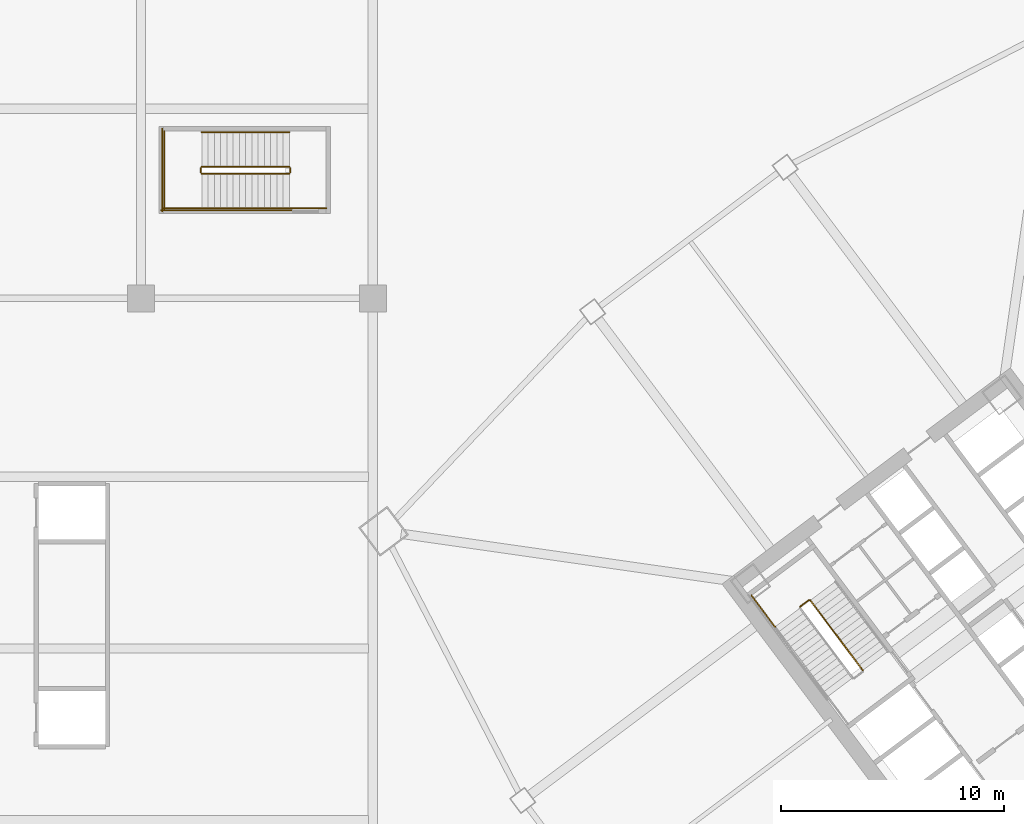
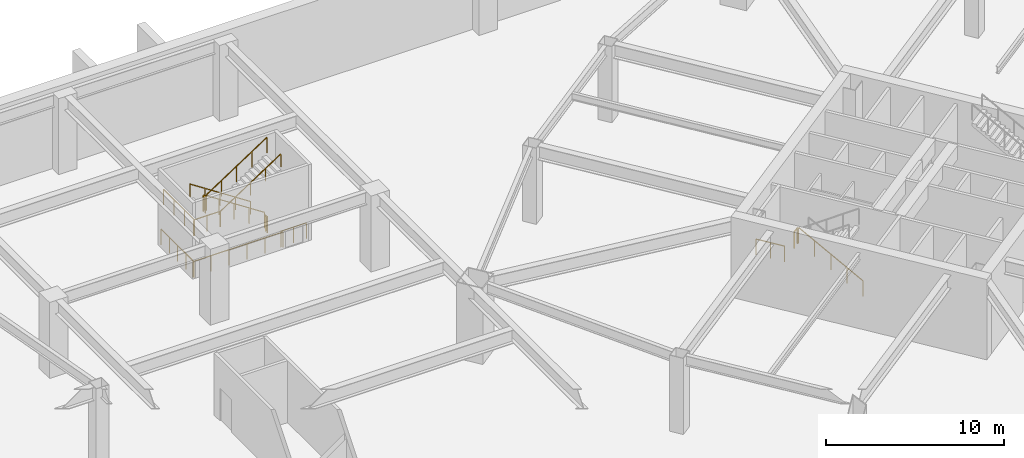
# One storey, part 16 of 17: 14 railings.
"""IFC4 building model written with IfcOpenShell, lengths in metres."""

from ifc_helpers import new_model, si_unit, direction, frame, origin, origin_2d, place, context, subcontext, project, spatial, rectangle, extrude, material, type_object, element, save


model = new_model("IFC4")

# Units and contexts
model_context = context("Model", 3, precision=1e-05, world=origin(), true_north=direction((0.0, 1.0)))
body_context = subcontext(model_context, "Body", "Model", "MODEL_VIEW")
ifc_project = project(units=[si_unit("LENGTHUNIT", "METRE"), si_unit("AREAUNIT", "SQUARE_METRE"), si_unit("VOLUMEUNIT", "CUBIC_METRE"), si_unit("PLANEANGLEUNIT", "RADIAN"), si_unit("MASSUNIT", "GRAM", prefix="KILO")], contexts=[model_context])

# Site, building, storey
site_placement = place(None, origin())
site = spatial("IfcSite", under=ifc_project, at=site_placement, CompositionType="ELEMENT")
building_placement = place(site_placement, origin())
building = spatial("IfcBuilding", under=site, at=building_placement, Name="Tashvorn Skyway Center", CompositionType="ELEMENT")
storey_placement = place(building_placement, frame((0.0, 0.0, -5.5)))
storey = spatial("IfcBuildingStorey", under=building, at=storey_placement, Name="B1", CompositionType="ELEMENT", Elevation=-5.5)

# Railings
ifc_material_1 = material(Name="Brushed stainless steel 316", Category="steel")
railing_type_1 = type_object("IfcRailingType", Name="RAIL-HAND-920", PredefinedType="HANDRAIL", material=ifc_material_1)
railing_1_placement = place(storey_placement, frame((83.449951171875, 53.64990234375, 0.183349609375)))
element("IfcRailing", 1, at=railing_1_placement, inside=storey, type_object=railing_type_1, Name="B1 ST-POD-2 stair handrail 1", PredefinedType="HANDRAIL", context=body_context, shape_type="SweptSolid", body=[
    extrude(rectangle(XDim=0.048095703125, YDim=0.048095703125, at=origin_2d()), frame((0.0, 0.0, 0.8759765625), z_axis=(-0.836615117243, 0.0, 0.547791151444), x_axis=(0.0, -1.0, 0.0)), (0.0, 0.0, 1.0), 4.685546875),
    extrude(rectangle(XDim=0.0419921875, YDim=0.0419921875, at=origin_2d()), origin(), (0.0, 0.0, 1.0), 0.851806640625),
    extrude(rectangle(XDim=0.0419921875, YDim=0.0419921875, at=origin_2d()), frame((-0.97998046875, 0.0, 0.6416015625)), (0.0, 0.0, 1.0), 0.851806640625),
    extrude(rectangle(XDim=0.0419921875, YDim=0.0419921875, at=origin_2d()), frame((-1.9599609375, 0.0, 1.283203125)), (0.0, 0.0, 1.0), 0.851806640625),
    extrude(rectangle(XDim=0.0419921875, YDim=0.0419921875, at=origin_2d()), frame((-2.93994140625, 0.0, 1.925048828125)), (0.0, 0.0, 1.0), 0.851806640625),
    extrude(rectangle(XDim=0.0419921875, YDim=0.0419921875, at=origin_2d()), frame((-3.919921875, 0.0, 2.566650390625)), (0.0, 0.0, 1.0), 0.851806640625),
])
railing_2_placement = place(storey_placement, frame((79.530029296875, 50.25, 2.933349609375)))
element("IfcRailing", 2, at=railing_2_placement, inside=storey, type_object=railing_type_1, Name="B1 ST-POD-2 stair handrail 2", PredefinedType="HANDRAIL", context=body_context, shape_type="SweptSolid", body=[
    extrude(rectangle(XDim=0.048095703125, YDim=0.048095703125, at=origin_2d()), frame((0.0, 0.0, 0.8759765625), z_axis=(0.836615117243, 0.0, 0.547791151444), x_axis=(0.0, 1.0, 0.0)), (0.0, 0.0, 1.0), 4.685546875),
    extrude(rectangle(XDim=0.0419921875, YDim=0.0419921875, at=origin_2d()), origin(), (0.0, 0.0, 1.0), 0.851806640625),
    extrude(rectangle(XDim=0.0419921875, YDim=0.0419921875, at=origin_2d()), frame((0.97998046875, 0.0, 0.6416015625)), (0.0, 0.0, 1.0), 0.851806640625),
    extrude(rectangle(XDim=0.0419921875, YDim=0.0419921875, at=origin_2d()), frame((1.9599609375, 0.0, 1.283203125)), (0.0, 0.0, 1.0), 0.851806640625),
    extrude(rectangle(XDim=0.0419921875, YDim=0.0419921875, at=origin_2d()), frame((2.93994140625, 0.0, 1.925048828125)), (0.0, 0.0, 1.0), 0.851806640625),
    extrude(rectangle(XDim=0.0419921875, YDim=0.0419921875, at=origin_2d()), frame((3.919921875, 0.0, 2.566650390625)), (0.0, 0.0, 1.0), 0.851806640625),
])
ifc_material_2 = material(Name="Painted galvanized steel S355", Category="steel")
railing_type_2 = type_object("IfcRailingType", Name="RAIL-STGUARD-1100", PredefinedType="GUARDRAIL", material=ifc_material_2)
railing_3_placement = place(storey_placement, frame((109.16796875, 29.52587890625, 0.183349609375)))
element("IfcRailing", 3, at=railing_3_placement, inside=storey, type_object=railing_type_2, Name="B1 ST-T2-1 stair guard 1", PredefinedType="GUARDRAIL", context=body_context, shape_type="SweptSolid", body=[
    extrude(rectangle(XDim=0.048095703125, YDim=0.048095703125, at=origin_2d()), frame((0.0, 0.0, 1.076171875), z_axis=(-0.501963654013, 0.669319607583, 0.547762496849), x_axis=(-0.800014946318, -0.599980071059, 0.0)), (0.0, 0.0, 1.0), 4.685791015625),
    extrude(rectangle(XDim=0.0419921875, YDim=0.0419921875, at=origin_2d()), origin(), (0.0, 0.0, 1.0), 1.052001953125),
    extrude(rectangle(XDim=0.0419921875, YDim=0.0419921875, at=origin_2d()), frame((-0.587890625, 0.7841796875, 0.6416015625)), (0.0, 0.0, 1.0), 1.052001953125),
    extrude(rectangle(XDim=0.0419921875, YDim=0.0419921875, at=origin_2d()), frame((-1.176025390625, 1.568115234375, 1.283203125)), (0.0, 0.0, 1.0), 1.052001953125),
    extrude(rectangle(XDim=0.0419921875, YDim=0.0419921875, at=origin_2d()), frame((-1.76416015625, 2.35205078125, 1.925048828125)), (0.0, 0.0, 1.0), 1.052001953125),
    extrude(rectangle(XDim=0.0419921875, YDim=0.0419921875, at=origin_2d()), frame((-2.35205078125, 3.13623046875, 2.566650390625)), (0.0, 0.0, 1.0), 1.052001953125),
])
railing_4_placement = place(storey_placement, frame((106.74609375, 32.672119140625, 2.75)))
element("IfcRailing", 4, at=railing_4_placement, inside=storey, type_object=railing_type_2, Name="B1 ST-T2-1 stair guard 2", PredefinedType="GUARDRAIL", context=body_context, shape_type="SweptSolid", body=[
    extrude(rectangle(XDim=0.048095703125, YDim=0.048095703125, at=origin_2d()), frame((0.0, 0.0, 1.076171875), z_axis=(-0.799938970639, -0.600081363861, 0.0), x_axis=(0.600081363861, -0.799938970639, 0.0)), (0.0, 0.0, 1.0), 0.47998046875),
    extrude(rectangle(XDim=0.0419921875, YDim=0.0419921875, at=origin_2d()), origin(), (0.0, 0.0, 1.0), 1.052001953125),
    extrude(rectangle(XDim=0.0419921875, YDim=0.0419921875, at=origin_2d()), frame((-0.384033203125, -0.2880859375, 0.0)), (0.0, 0.0, 1.0), 1.052001953125),
])
railing_5_placement = place(storey_placement, frame((105.23193359375, 31.47412109375, 2.75)))
element("IfcRailing", 5, at=railing_5_placement, inside=storey, type_object=railing_type_2, Name="B1 ST-T2-1 stair guard 3", PredefinedType="GUARDRAIL", context=body_context, shape_type="SweptSolid", body=[
    extrude(rectangle(XDim=0.048095703125, YDim=0.048095703125, at=origin_2d()), frame((0.0, 0.0, 1.076171875), z_axis=(-0.599977804058, 0.800016646475, 0.0), x_axis=(-0.800016646475, -0.599977804058, 0.0)), (0.0, 0.0, 1.0), 1.760009765625),
    extrude(rectangle(XDim=0.0419921875, YDim=0.0419921875, at=origin_2d()), origin(), (0.0, 0.0, 1.0), 1.052001953125),
    extrude(rectangle(XDim=0.0419921875, YDim=0.0419921875, at=origin_2d()), frame((-0.52783203125, 0.7041015625, 0.0)), (0.0, 0.0, 1.0), 1.052001953125),
    extrude(rectangle(XDim=0.0419921875, YDim=0.0419921875, at=origin_2d()), frame((-1.055908203125, 1.407958984375, 0.0)), (0.0, 0.0, 1.0), 1.052001953125),
])
railing_6_placement = place(storey_placement, frame((83.449951171875, 52.10009765625, 0.183349609375)))
element("IfcRailing", 6, at=railing_6_placement, inside=storey, type_object=railing_type_2, Name="B1 ST-POD-2 stair guard 1", PredefinedType="GUARDRAIL", context=body_context, shape_type="SweptSolid", body=[
    extrude(rectangle(XDim=0.048095703125, YDim=0.048095703125, at=origin_2d()), frame((0.0, 0.0, 1.076171875), z_axis=(-0.836615117243, 0.0, 0.547791151444), x_axis=(0.0, -1.0, 0.0)), (0.0, 0.0, 1.0), 4.685546875),
    extrude(rectangle(XDim=0.0419921875, YDim=0.0419921875, at=origin_2d()), origin(), (0.0, 0.0, 1.0), 1.052001953125),
    extrude(rectangle(XDim=0.0419921875, YDim=0.0419921875, at=origin_2d()), frame((-0.97998046875, 0.0, 0.6416015625)), (0.0, 0.0, 1.0), 1.052001953125),
    extrude(rectangle(XDim=0.0419921875, YDim=0.0419921875, at=origin_2d()), frame((-1.9599609375, 0.0, 1.283203125)), (0.0, 0.0, 1.0), 1.052001953125),
    extrude(rectangle(XDim=0.0419921875, YDim=0.0419921875, at=origin_2d()), frame((-2.93994140625, 0.0, 1.925048828125)), (0.0, 0.0, 1.0), 1.052001953125),
    extrude(rectangle(XDim=0.0419921875, YDim=0.0419921875, at=origin_2d()), frame((-3.919921875, 0.0, 2.566650390625)), (0.0, 0.0, 1.0), 1.052001953125),
])
railing_7_placement = place(storey_placement, frame((79.47998046875, 52.050048828125, 2.75)))
element("IfcRailing", 7, at=railing_7_placement, inside=storey, type_object=railing_type_2, Name="B1 ST-POD-2 stair guard 2", PredefinedType="GUARDRAIL", context=body_context, shape_type="SweptSolid", body=[
    extrude(rectangle(XDim=0.048095703125, YDim=0.048095703125, at=origin_2d()), frame((0.0, 0.0, 1.076171875), z_axis=(0.0, -1.0, 0.0), x_axis=(1.0, 0.0, 0.0)), (0.0, 0.0, 1.0), 0.199951171875),
    extrude(rectangle(XDim=0.0419921875, YDim=0.0419921875, at=origin_2d()), origin(), (0.0, 0.0, 1.0), 1.052001953125),
    extrude(rectangle(XDim=0.0419921875, YDim=0.0419921875, at=origin_2d()), frame((0.0, -0.199951171875, 0.0)), (0.0, 0.0, 1.0), 1.052001953125),
])
railing_8_placement = place(storey_placement, frame((79.530029296875, 50.25, 2.75)))
element("IfcRailing", 8, at=railing_8_placement, inside=storey, type_object=railing_type_2, Name="B1 ST-POD-2 stair guard 3", PredefinedType="GUARDRAIL", context=body_context, shape_type="SweptSolid", body=[
    extrude(rectangle(XDim=0.048095703125, YDim=0.048095703125, at=origin_2d()), frame((0.0, 0.0, 1.076171875), z_axis=(-1.0, 0.0, 0.0), x_axis=(0.0, -1.0, 0.0)), (0.0, 0.0, 1.0), 1.72998046875),
    extrude(rectangle(XDim=0.0419921875, YDim=0.0419921875, at=origin_2d()), origin(), (0.0, 0.0, 1.0), 1.052001953125),
    extrude(rectangle(XDim=0.0419921875, YDim=0.0419921875, at=origin_2d()), frame((-0.864990234375, 0.0, 0.0)), (0.0, 0.0, 1.0), 1.052001953125),
    extrude(rectangle(XDim=0.0419921875, YDim=0.0419921875, at=origin_2d()), frame((-1.72998046875, 0.0, 0.0)), (0.0, 0.0, 1.0), 1.052001953125),
])
railing_9_placement = place(storey_placement, frame((77.85009765625, 53.699951171875, 2.75)))
element("IfcRailing", 9, at=railing_9_placement, inside=storey, type_object=railing_type_2, Name="B1 ST-POD-2 stair guard 4", PredefinedType="GUARDRAIL", context=body_context, shape_type="SweptSolid", body=[
    extrude(rectangle(XDim=0.048095703125, YDim=0.048095703125, at=origin_2d()), frame((0.0, 0.0, 1.076171875), z_axis=(0.0, -1.0, 0.0), x_axis=(1.0, 0.0, 0.0)), (0.0, 0.0, 1.0), 3.5),
    extrude(rectangle(XDim=0.0419921875, YDim=0.0419921875, at=origin_2d()), origin(), (0.0, 0.0, 1.0), 1.052001953125),
    extrude(rectangle(XDim=0.0419921875, YDim=0.0419921875, at=origin_2d()), frame((0.0, -1.166748046875, 0.0)), (0.0, 0.0, 1.0), 1.052001953125),
    extrude(rectangle(XDim=0.0419921875, YDim=0.0419921875, at=origin_2d()), frame((0.0, -2.333251953125, 0.0)), (0.0, 0.0, 1.0), 1.052001953125),
    extrude(rectangle(XDim=0.0419921875, YDim=0.0419921875, at=origin_2d()), frame((0.0, -3.5, 0.0)), (0.0, 0.0, 1.0), 1.052001953125),
])
railing_10_placement = place(storey_placement, frame((79.530029296875, 51.800048828125, 2.933349609375)))
element("IfcRailing", 10, at=railing_10_placement, inside=storey, type_object=railing_type_2, Name="B1 ST-POD-2 stair guard 5", PredefinedType="GUARDRAIL", context=body_context, shape_type="SweptSolid", body=[
    extrude(rectangle(XDim=0.048095703125, YDim=0.048095703125, at=origin_2d()), frame((0.0, 0.0, 1.076171875), z_axis=(0.836615117243, 0.0, 0.547791151444), x_axis=(0.0, 1.0, 0.0)), (0.0, 0.0, 1.0), 4.685546875),
    extrude(rectangle(XDim=0.0419921875, YDim=0.0419921875, at=origin_2d()), origin(), (0.0, 0.0, 1.0), 1.052001953125),
    extrude(rectangle(XDim=0.0419921875, YDim=0.0419921875, at=origin_2d()), frame((0.97998046875, 0.0, 0.6416015625)), (0.0, 0.0, 1.0), 1.052001953125),
    extrude(rectangle(XDim=0.0419921875, YDim=0.0419921875, at=origin_2d()), frame((1.9599609375, 0.0, 1.283203125)), (0.0, 0.0, 1.0), 1.052001953125),
    extrude(rectangle(XDim=0.0419921875, YDim=0.0419921875, at=origin_2d()), frame((2.93994140625, 0.0, 1.925048828125)), (0.0, 0.0, 1.0), 1.052001953125),
    extrude(rectangle(XDim=0.0419921875, YDim=0.0419921875, at=origin_2d()), frame((3.919921875, 0.0, 2.566650390625)), (0.0, 0.0, 1.0), 1.052001953125),
])
railing_11_placement = place(storey_placement, frame((83.5, 52.050048828125, 0.0)))
element("IfcRailing", 11, at=railing_11_placement, inside=storey, type_object=railing_type_2, Name="B1 ST-POD-2 stair guard 6", PredefinedType="GUARDRAIL", context=body_context, shape_type="SweptSolid", body=[
    extrude(rectangle(XDim=0.048095703125, YDim=0.048095703125, at=origin_2d()), frame((0.0, 0.0, 1.076171875), z_axis=(0.0, -1.0, 0.0), x_axis=(1.0, 0.0, 0.0)), (0.0, 0.0, 1.0), 0.199951171875),
    extrude(rectangle(XDim=0.0419921875, YDim=0.0419921875, at=origin_2d()), origin(), (0.0, 0.0, 1.0), 1.052001953125),
    extrude(rectangle(XDim=0.0419921875, YDim=0.0419921875, at=origin_2d()), frame((0.0, -0.199951171875, 0.0)), (0.0, 0.0, 1.0), 1.052001953125),
])
railing_12_placement = place(storey_placement, frame((85.10009765625, 50.25, 0.0)))
element("IfcRailing", 12, at=railing_12_placement, inside=storey, type_object=railing_type_2, Name="B1 ST-POD-2 stair guard 7", PredefinedType="GUARDRAIL", context=body_context, shape_type="SweptSolid", body=[
    extrude(rectangle(XDim=0.048095703125, YDim=0.048095703125, at=origin_2d()), frame((0.0, 0.0, 1.076171875), z_axis=(-1.0, 0.0, 0.0), x_axis=(0.0, -1.0, 0.0)), (0.0, 0.0, 1.0), 1.650146484375),
    extrude(rectangle(XDim=0.0419921875, YDim=0.0419921875, at=origin_2d()), origin(), (0.0, 0.0, 1.0), 1.052001953125),
    extrude(rectangle(XDim=0.0419921875, YDim=0.0419921875, at=origin_2d()), frame((-0.8251953125, 0.0, 0.0)), (0.0, 0.0, 1.0), 1.052001953125),
    extrude(rectangle(XDim=0.0419921875, YDim=0.0419921875, at=origin_2d()), frame((-1.650146484375, 0.0, 0.0)), (0.0, 0.0, 1.0), 1.052001953125),
])
railing_13_placement = place(storey_placement, frame((83.550048828125, 50.14990234375, 0.0)))
element("IfcRailing", 13, at=railing_13_placement, inside=storey, type_object=railing_type_2, Name="B1 ST-POD-2 stair guard 8", PredefinedType="GUARDRAIL", context=body_context, shape_type="SweptSolid", body=[
    extrude(rectangle(XDim=0.048095703125, YDim=0.048095703125, at=origin_2d()), frame((0.0, 0.0, 1.076171875), z_axis=(-1.0, 0.0, 0.0), x_axis=(0.0, -1.0, 0.0)), (0.0, 0.0, 1.0), 5.85009765625),
    extrude(rectangle(XDim=0.0419921875, YDim=0.0419921875, at=origin_2d()), origin(), (0.0, 0.0, 1.0), 1.052001953125),
    extrude(rectangle(XDim=0.0419921875, YDim=0.0419921875, at=origin_2d()), frame((-1.169921875, 0.0, 0.0)), (0.0, 0.0, 1.0), 1.052001953125),
    extrude(rectangle(XDim=0.0419921875, YDim=0.0419921875, at=origin_2d()), frame((-2.340087890625, 0.0, 0.0)), (0.0, 0.0, 1.0), 1.052001953125),
    extrude(rectangle(XDim=0.0419921875, YDim=0.0419921875, at=origin_2d()), frame((-3.510009765625, 0.0, 0.0)), (0.0, 0.0, 1.0), 1.052001953125),
    extrude(rectangle(XDim=0.0419921875, YDim=0.0419921875, at=origin_2d()), frame((-4.68017578125, 0.0, 0.0)), (0.0, 0.0, 1.0), 1.052001953125),
    extrude(rectangle(XDim=0.0419921875, YDim=0.0419921875, at=origin_2d()), frame((-5.85009765625, 0.0, 0.0)), (0.0, 0.0, 1.0), 1.052001953125),
])
railing_14_placement = place(storey_placement, frame((77.75, 53.800048828125, 0.0)))
element("IfcRailing", 14, at=railing_14_placement, inside=storey, type_object=railing_type_2, Name="B1 ST-POD-2 stair guard 9", PredefinedType="GUARDRAIL", context=body_context, shape_type="SweptSolid", body=[
    extrude(rectangle(XDim=0.048095703125, YDim=0.048095703125, at=origin_2d()), frame((0.0, 0.0, 1.076171875), z_axis=(0.0, -1.0, 0.0), x_axis=(1.0, 0.0, 0.0)), (0.0, 0.0, 1.0), 3.699951171875),
    extrude(rectangle(XDim=0.0419921875, YDim=0.0419921875, at=origin_2d()), origin(), (0.0, 0.0, 1.0), 1.052001953125),
    extrude(rectangle(XDim=0.0419921875, YDim=0.0419921875, at=origin_2d()), frame((0.0, -0.925048828125, 0.0)), (0.0, 0.0, 1.0), 1.052001953125),
    extrude(rectangle(XDim=0.0419921875, YDim=0.0419921875, at=origin_2d()), frame((0.0, -1.85009765625, 0.0)), (0.0, 0.0, 1.0), 1.052001953125),
    extrude(rectangle(XDim=0.0419921875, YDim=0.0419921875, at=origin_2d()), frame((0.0, -2.77490234375, 0.0)), (0.0, 0.0, 1.0), 1.052001953125),
    extrude(rectangle(XDim=0.0419921875, YDim=0.0419921875, at=origin_2d()), frame((0.0, -3.699951171875, 0.0)), (0.0, 0.0, 1.0), 1.052001953125),
])

save(model, "model.ifc")
